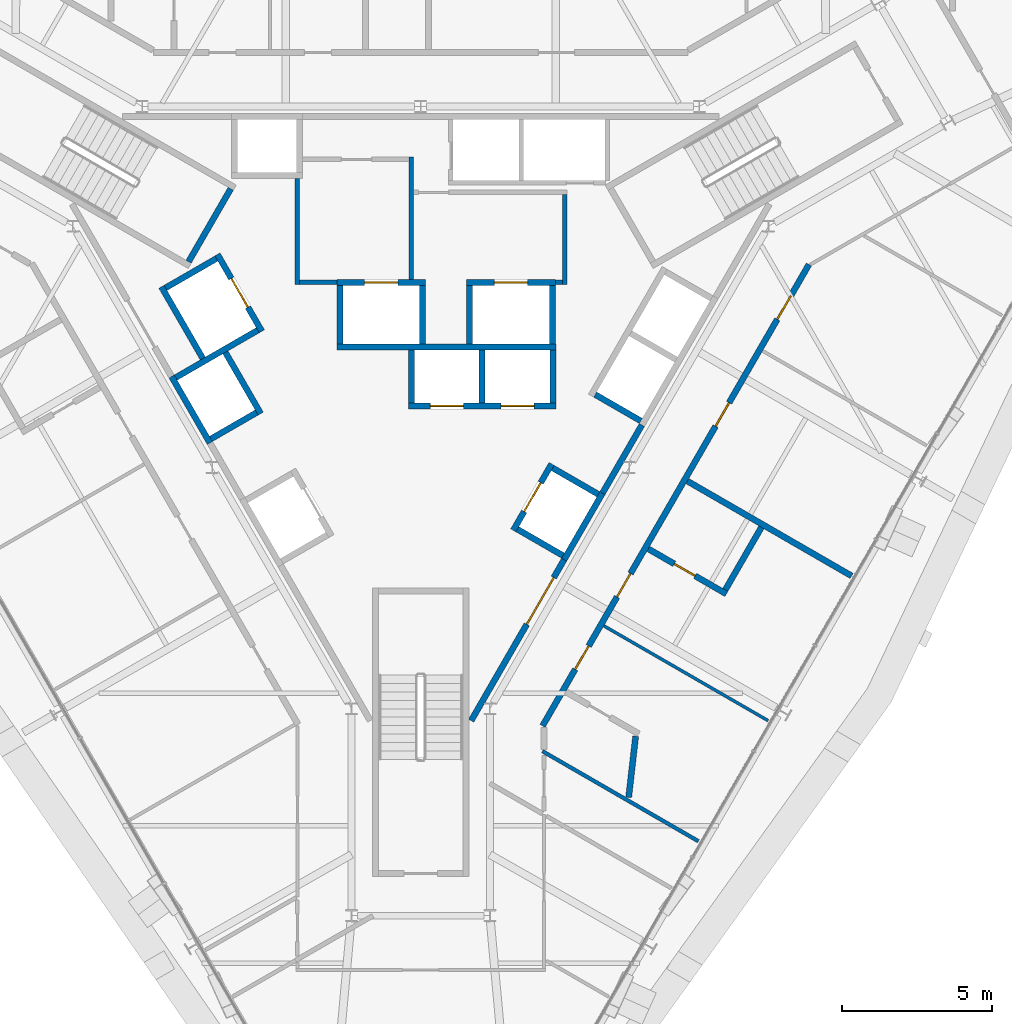
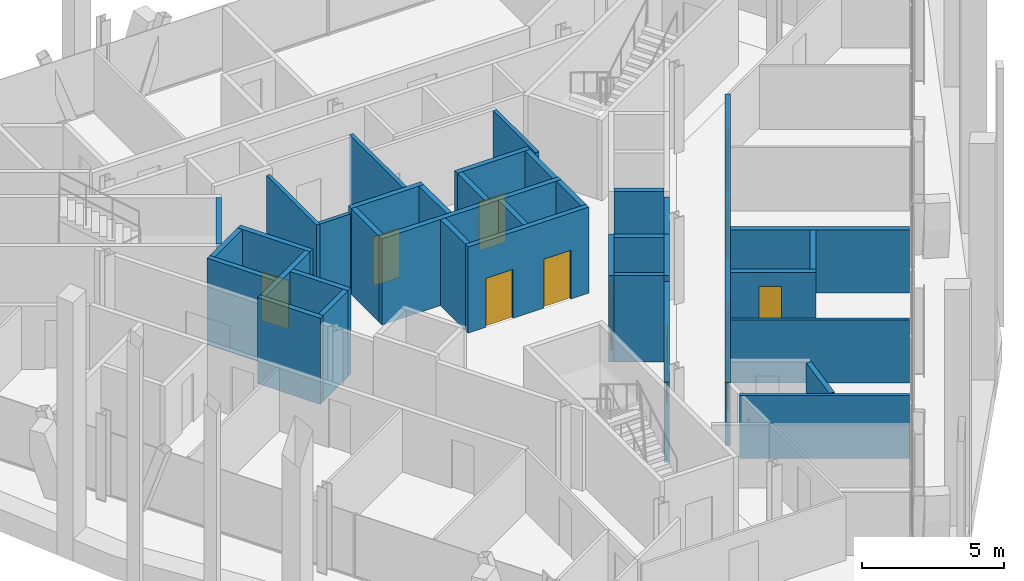
# One storey, part 12 of 16: 38 walls, 12 doors, 12 openings.
"""IFC4 building model written with IfcOpenShell, lengths in metres."""

import ifcopenshell
import ifcopenshell.guid

model = None  # the IFC model being written
_history = None  # IfcOwnerHistory: only IFC2X3 demands one
_inside = {}  # id of a spatial element -> (the spatial element, [elements in it])
_under = {}  # id of a project, library or spatial element -> (it, [spatial elements below it])
_declared = {}  # id of a project -> (the project, [libraries it declares])
_typed = {}  # id of a type object -> (the type object, [elements of that type])
_made_of = {}  # id of a material, layer set ... -> (it, [elements and type objects made of it])


def new_model(schema):
    """Start an empty IFC model of exactly this schema.

    Asked for "IFC4X3", IfcOpenShell would pick the latest addendum, in which some entities
    have other attributes; the version numbers below select the first issue.
    IFC2X3 requires an IfcOwnerHistory on every rooted entity: one is made here for all.
    """
    global model, _history
    if schema == "IFC4X3":
        model = ifcopenshell.file(schema_version=(4, 3, 0, 0))
    else:
        model = ifcopenshell.file(schema=schema)
    _inside.clear()
    _under.clear()
    _declared.clear()
    _typed.clear()
    _made_of.clear()
    _history = None
    if model.schema == "IFC2X3":
        org = make("IfcOrganization", Name="unknown")
        user = make(
            "IfcPersonAndOrganization",
            ThePerson=make("IfcPerson", FamilyName="unknown"),
            TheOrganization=org,
        )
        app = make(
            "IfcApplication",
            ApplicationDeveloper=org,
            Version="unknown",
            ApplicationFullName="unknown",
            ApplicationIdentifier="unknown",
        )
        _history = make(
            "IfcOwnerHistory",
            OwningUser=user,
            OwningApplication=app,
            ChangeAction="ADDED",
            CreationDate=0,
        )
    return model


def make(cls, **values):
    """One entity of the class cls with the attributes given. An attribute that is None is left unset."""
    return model.create_entity(
        cls, **{name: value for name, value in values.items() if value is not None}
    )


def rooted(cls, **values):
    """An entity with a GlobalId (a new one), such as an element, a storey or a relation."""
    return make(cls, GlobalId=ifcopenshell.guid.new(), OwnerHistory=_history, **values)


def si_unit(unit_type, name, prefix=None):
    """IfcSIUnit, for example si_unit("LENGTHUNIT", "METRE", prefix="MILLI")."""
    return make("IfcSIUnit", UnitType=unit_type, Prefix=prefix, Name=name)


def assignment(units):
    """IfcUnitAssignment: the units of a project."""
    return None if units is None else make("IfcUnitAssignment", Units=units)


def point(xyz):
    """IfcCartesianPoint."""
    return None if xyz is None else make("IfcCartesianPoint", Coordinates=xyz)


def direction(xyz):
    """IfcDirection."""
    return None if xyz is None else make("IfcDirection", DirectionRatios=xyz)


def frame(location, z_axis=None, x_axis=None):
    """IfcAxis2Placement3D, a coordinate frame: its origin and axes. An axis left out is left unset."""
    return make(
        "IfcAxis2Placement3D",
        Location=point(location),
        Axis=direction(z_axis),
        RefDirection=direction(x_axis),
    )


def frame_2d(location, x_axis=None):
    """IfcAxis2Placement2D, a coordinate frame in the plane: its origin and x axis."""
    return make(
        "IfcAxis2Placement2D", Location=point(location), RefDirection=direction(x_axis)
    )


def origin():
    """The frame at (0, 0, 0) with its axes left unset."""
    return frame((0.0, 0.0, 0.0))


def place(relative_to, where):
    """IfcLocalPlacement: puts the frame where relative to a parent placement (None: the world)."""
    return make(
        "IfcLocalPlacement", PlacementRelTo=relative_to, RelativePlacement=where
    )


def context(
    kind, dimensions, precision=None, world=None, true_north=None, identifier=None
):
    """IfcGeometricRepresentationContext, for example the 3D "Model" context."""
    return make(
        "IfcGeometricRepresentationContext",
        ContextIdentifier=identifier,
        ContextType=kind,
        CoordinateSpaceDimension=dimensions,
        Precision=precision,
        WorldCoordinateSystem=world,
        TrueNorth=true_north,
    )


def subcontext(parent, identifier, kind, view, scale=None):
    """IfcGeometricRepresentationSubContext, for example "Body" below "Model"."""
    return make(
        "IfcGeometricRepresentationSubContext",
        ContextIdentifier=identifier,
        ContextType=kind,
        ParentContext=parent,
        TargetScale=scale,
        TargetView=view,
    )


def project(units=None, contexts=None):
    """IfcProject with its units and contexts."""
    return rooted(
        "IfcProject",
        Name="project",
        RepresentationContexts=contexts,
        UnitsInContext=assignment(units),
    )


def spatial(cls, under=None, at=None, **own):
    """A site, building, storey or space (cls), placed at a placement, below another one or the project."""
    s = rooted(cls, ObjectPlacement=at, **own)
    if under is not None:
        _under.setdefault(under.id(), (under, []))[1].append(s)
    return s


def profile(cls, at=None, kind="AREA", **sizes):
    """A parametric profile (cls). Its sizes go by their IFC names, for example OverallWidth=200.0."""
    return make(cls, ProfileType=kind, Position=at, **sizes)


def rectangle(**sizes):
    """IfcRectangleProfileDef."""
    return profile("IfcRectangleProfileDef", **sizes)


def extrude(swept, where, along, depth):
    """IfcExtrudedAreaSolid: the profile swept, set in the frame where, extruded along a direction by depth."""
    return make(
        "IfcExtrudedAreaSolid",
        SweptArea=swept,
        Position=where,
        ExtrudedDirection=direction(along),
        Depth=depth,
    )


def shape(context_of_items, identifier, shape_type, items):
    """IfcShapeRepresentation: the items that make up one representation, for example the "Body"."""
    return make(
        "IfcShapeRepresentation",
        ContextOfItems=context_of_items,
        RepresentationIdentifier=identifier,
        RepresentationType=shape_type,
        Items=items,
    )


def material(Name=None, Category=None):
    """IfcMaterial."""
    return make("IfcMaterial", Name=Name, Category=Category)


def layer(
    of_material, thickness, ventilated=None, Name=None, Category=None, Priority=None
):
    """IfcMaterialLayer: one layer of a wall or slab, of a material (None: an air gap)."""
    return make(
        "IfcMaterialLayer",
        Material=of_material,
        LayerThickness=thickness,
        IsVentilated=ventilated,
        Name=Name,
        Category=Category,
        Priority=Priority,
    )


def layer_set(layers, Name=None):
    """IfcMaterialLayerSet."""
    return make("IfcMaterialLayerSet", MaterialLayers=layers, LayerSetName=Name)


def made_of(thing, what):
    """Note that an element or type object is made of a material, layer set ...; save() writes the relation."""
    if what is not None:
        _made_of.setdefault(what.id(), (what, []))[1].append(thing)
    return thing


def type_object(cls, material=None, **own):
    """A type object (cls), such as IfcWallType, which elements share."""
    return made_of(rooted(cls, **own), material)


def element(
    cls,
    number,
    at=None,
    inside=None,
    cuts=None,
    type_object=None,
    material=None,
    context=None,
    identifier="Body",
    shape_type=None,
    held_by="IfcProductDefinitionShape",
    body=None,
    shapes=None,
    **own,
):
    """One element of the class cls, such as IfcWall. Its Tag is "e" and its number.

    at: its placement. inside: the storey or other place that contains it. cuts: it is an
    opening in that element (IfcRelVoidsElement). A single representation is given by context,
    identifier, shape_type and body (its items); several are given by shapes. held_by: the class
    of the entity that holds the representations. save() writes the other relations.
    """
    e = rooted(cls, Tag="e%d" % number, ObjectPlacement=at, **own)
    if body is not None:
        shapes = [shape(context, identifier, shape_type, body)]
    if shapes is not None:
        e.Representation = make(held_by, Representations=shapes)
    if inside is not None:
        _inside.setdefault(inside.id(), (inside, []))[1].append(e)
    if cuts is not None:
        rooted(
            "IfcRelVoidsElement", RelatingBuildingElement=cuts, RelatedOpeningElement=e
        )
    if type_object is not None:
        _typed.setdefault(type_object.id(), (type_object, []))[1].append(e)
    return made_of(e, material)


def fill(opening, filler):
    """IfcRelFillsElement: the door or window that sits in an opening."""
    return rooted(
        "IfcRelFillsElement",
        RelatingOpeningElement=opening,
        RelatedBuildingElement=filler,
    )


def aggregate(whole, parts):
    """IfcRelAggregates: a whole, such as a stair, and the parts it consists of."""
    return rooted("IfcRelAggregates", RelatingObject=whole, RelatedObjects=parts)


def save(model, path):
    """Write the relations noted so far, then the file.

    IfcRelAggregates (storeys below a building ...), IfcRelContainedInSpatialStructure (elements
    in a storey), IfcRelDefinesByType, IfcRelAssociatesMaterial and IfcRelDeclares: one each for
    every whole, place, type object, material and project.
    """
    for whole, parts in _under.values():
        aggregate(whole, parts)
    for where, things in _inside.values():
        rooted(
            "IfcRelContainedInSpatialStructure",
            RelatedElements=things,
            RelatingStructure=where,
        )
    for kind, things in _typed.values():
        rooted("IfcRelDefinesByType", RelatedObjects=things, RelatingType=kind)
    for what, things in _made_of.values():
        rooted("IfcRelAssociatesMaterial", RelatedObjects=things, RelatingMaterial=what)
    for by, libraries in _declared.values():
        rooted("IfcRelDeclares", RelatingContext=by, RelatedDefinitions=libraries)
    model.write(path)


model = new_model("IFC4")

# Units and contexts
model_context = context("Model", 3, precision=1e-05, world=origin(), true_north=direction((0.0, 1.0)))
body_context = subcontext(model_context, "Body", "Model", "MODEL_VIEW")
ifc_project = project(units=[si_unit("LENGTHUNIT", "METRE"), si_unit("AREAUNIT", "SQUARE_METRE"), si_unit("VOLUMEUNIT", "CUBIC_METRE"), si_unit("PLANEANGLEUNIT", "RADIAN"), si_unit("MASSUNIT", "GRAM", prefix="KILO")], contexts=[model_context])

# Site, building, storey
site_placement = place(None, origin())
site = spatial("IfcSite", under=ifc_project, at=site_placement, CompositionType="ELEMENT")
building_placement = place(site_placement, origin())
building = spatial("IfcBuilding", under=site, at=building_placement, Name="Verrane Prism Tower", CompositionType="ELEMENT")
storey_placement = place(building_placement, frame((0.0, 0.0, 236.0)))
storey = spatial("IfcBuildingStorey", under=building, at=storey_placement, Name="L59", CompositionType="ELEMENT", Elevation=236.0)

# Wall, opening, door
ifc_material_1 = material(Name="Gypsum board partition", Category="other")
ifc_layer_1 = layer(ifc_material_1, 0.199951171875)
ifc_layer_set_1 = layer_set([ifc_layer_1], Name="CW-200 core boundary wall 2 h")
wall_type_1 = type_object("IfcWallType", Name="CW-200 core boundary wall 2 h", PredefinedType="PARTITIONING", material=ifc_layer_set_1)
wall_1_placement = place(storey_placement, frame((1.677490234375, -12.414794921875, 0.0), z_axis=(0.0, 0.0, 1.0), x_axis=(0.500054337157, 0.865994029939, 0.0)))
wall_1 = element("IfcWall", 1, at=wall_1_placement, inside=storey, type_object=wall_type_1, Name="Core boundary wall CW3-006", PredefinedType="PARTITIONING", context=body_context, shape_type="SweptSolid", body=[
    extrude(rectangle(XDim=6.176513671875, YDim=0.199951171875, at=frame_2d((3.08837890625, 0.0))), origin(), (0.0, 0.0, 1.0), 3.449951171875),
])
opening_1_placement = place(wall_1_placement, frame((3.695068359375, 0.0, 0.0)))
opening_1 = element("IfcOpeningElement", 2, at=opening_1_placement, cuts=wall_1, Name="Opening D59515", PredefinedType="OPENING", context=body_context, shape_type="SweptSolid", body=[
    extrude(rectangle(XDim=1.800048828125, YDim=2.10009765625, at=frame_2d((0.89990234375, 1.050048828125))), frame((0.0, 0.10986328125, 0.0), z_axis=(0.0, -1.0, 0.0), x_axis=(1.0, 0.0, 0.0)), (0.0, 0.0, 1.0), 0.219970703125),
])
ifc_material_2 = material(Name="Timber veneered door leaf", Category="wood")
door_type_1 = type_object("IfcDoorType", Name="DR-1800x2100 FD60 double leaf lift lobby", OperationType="NOTDEFINED", PredefinedType="DOOR", material=ifc_material_2)
door_1_placement = place(opening_1_placement, origin())
door_1 = element("IfcDoor", 3, at=door_1_placement, inside=storey, type_object=door_type_1, Name="Lift lobby door D59515", OperationType="DOUBLE_DOOR_SINGLE_SWING", OverallHeight=2.10009765625, OverallWidth=1.800048828125, PredefinedType="DOOR", context=body_context, shape_type="SweptSolid", body=[
    extrude(rectangle(XDim=1.800048828125, YDim=2.10009765625, at=frame_2d((0.89990234375, 1.050048828125))), frame((0.0, 0.02490234375, 0.0), z_axis=(0.0, -1.0, 0.0), x_axis=(1.0, 0.0, 0.0)), (0.0, 0.0, 1.0), 0.050048828125),
])
fill(opening_1, door_1)

# Walls
wall_2_placement = place(storey_placement, frame((6.0419921875, -4.85498046875, 0.0), z_axis=(0.0, 0.0, 1.0), x_axis=(0.500252727967, 0.865879442048, 0.0)))
element("IfcWall", 4, at=wall_2_placement, inside=storey, type_object=wall_type_1, Name="Core boundary wall CW3-007", PredefinedType="PARTITIONING", context=body_context, shape_type="SweptSolid", body=[
    extrude(rectangle(XDim=2.616943359375, YDim=0.199951171875, at=frame_2d((1.30859375, 0.0))), origin(), (0.0, 0.0, 1.0), 3.449951171875),
])
ifc_material_3 = material(Name="Concrete C40/50", Category="concrete")
ifc_layer_2 = layer(ifc_material_3, 0.199951171875)
ifc_layer_set_2 = layer_set([ifc_layer_2], Name="CW-200 stair core wall concrete C40/50 3 h")
wall_type_2 = type_object("IfcWallType", Name="CW-200 stair core wall concrete C40/50 3 h", PredefinedType="PARTITIONING", material=ifc_layer_set_2)
wall_3_placement = place(storey_placement, frame((-6.314697265625, 5.262451171875, 0.0), z_axis=(0.0, 0.0, 1.0), x_axis=(-0.500049511043, -0.865996816683, 0.0)))
element("IfcWall", 5, at=wall_3_placement, inside=storey, type_object=wall_type_2, Name="Stair 2 enclosure wall", PredefinedType="PARTITIONING", context=body_context, shape_type="SweptSolid", body=[
    extrude(rectangle(XDim=2.800048828125, YDim=0.199951171875, at=frame_2d((1.39990234375, 0.0))), origin(), (0.0, 0.0, 1.0), 3.449951171875),
])

# Wall, openings, doors
ifc_material_4 = material(Name="Gypsum board shaft wall assembly", Category="other")
ifc_layer_3 = layer(ifc_material_4, 0.199951171875)
ifc_layer_set_3 = layer_set([ifc_layer_3], Name="HW-200 lift shaft wall 2 h")
wall_type_3 = type_object("IfcWallType", Name="HW-200 lift shaft wall 2 h", PredefinedType="PARTITIONING", material=ifc_layer_set_3)
wall_4_placement = place(storey_placement, frame((-0.405029296875, -1.949951171875, 0.0), z_axis=(0.0, 0.0, 1.0), x_axis=(1.0, 0.0, 0.0)))
wall_4 = element("IfcWall", 6, at=wall_4_placement, inside=storey, type_object=wall_type_3, Name="Lift shaft wall", PredefinedType="PARTITIONING", context=body_context, shape_type="SweptSolid", body=[
    extrude(rectangle(XDim=4.900146484375, YDim=0.199951171875, at=frame_2d((2.4501953125, 0.0))), origin(), (0.0, 0.0, 1.0), 3.699951171875),
])
opening_2_placement = place(wall_4_placement, frame((0.72509765625, 0.0, 0.0)))
opening_2 = element("IfcOpeningElement", 7, at=opening_2_placement, cuts=wall_4, Name="Opening D59503", PredefinedType="OPENING", context=body_context, shape_type="SweptSolid", body=[
    extrude(rectangle(XDim=1.10009765625, YDim=2.10009765625, at=frame_2d((0.550048828125, 1.050048828125))), frame((0.0, 0.10986328125, 0.0), z_axis=(0.0, -1.0, 0.0), x_axis=(1.0, 0.0, 0.0)), (0.0, 0.0, 1.0), 0.219970703125),
])
opening_3_placement = place(wall_4_placement, frame((3.074951171875, 0.0, 0.0)))
opening_3 = element("IfcOpeningElement", 8, at=opening_3_placement, cuts=wall_4, Name="Opening D59504", PredefinedType="OPENING", context=body_context, shape_type="SweptSolid", body=[
    extrude(rectangle(XDim=1.10009765625, YDim=2.10009765625, at=frame_2d((0.550048828125, 1.050048828125))), frame((0.0, 0.10986328125, 0.0), z_axis=(0.0, -1.0, 0.0), x_axis=(1.0, 0.0, 0.0)), (0.0, 0.0, 1.0), 0.219970703125),
])
ifc_material_5 = material(Name="Stainless steel sliding landing door", Category="steel")
door_type_2 = type_object("IfcDoorType", Name="LD-1100x2100 lift landing door FD90 sliding", OperationType="NOTDEFINED", PredefinedType="DOOR", material=ifc_material_5)
door_2_placement = place(opening_2_placement, origin())
door_2 = element("IfcDoor", 9, at=door_2_placement, inside=storey, type_object=door_type_2, Name="Bank B lift 1 landing door", OperationType="SLIDING_TO_LEFT", OverallHeight=2.10009765625, OverallWidth=1.10009765625, PredefinedType="DOOR", context=body_context, shape_type="SweptSolid", body=[
    extrude(rectangle(XDim=1.10009765625, YDim=2.10009765625, at=frame_2d((0.550048828125, 1.050048828125))), frame((0.0, 0.02490234375, 0.0), z_axis=(0.0, -1.0, 0.0), x_axis=(1.0, 0.0, 0.0)), (0.0, 0.0, 1.0), 0.050048828125),
])
fill(opening_2, door_2)
door_3_placement = place(opening_3_placement, origin())
door_3 = element("IfcDoor", 10, at=door_3_placement, inside=storey, type_object=door_type_2, Name="Bank B lift 2 landing door", OperationType="SLIDING_TO_RIGHT", OverallHeight=2.10009765625, OverallWidth=1.10009765625, PredefinedType="DOOR", context=body_context, shape_type="SweptSolid", body=[
    extrude(rectangle(XDim=1.10009765625, YDim=2.10009765625, at=frame_2d((0.550048828125, 1.050048828125))), frame((0.0, 0.02490234375, 0.0), z_axis=(0.0, -1.0, 0.0), x_axis=(1.0, 0.0, 0.0)), (0.0, 0.0, 1.0), 0.050048828125),
])
fill(opening_3, door_3)

# Wall
wall_5_placement = place(storey_placement, frame((-2.784912109375, 0.0, 0.0), z_axis=(0.0, 0.0, 1.0), x_axis=(1.0, 0.0, 0.0)))
element("IfcWall", 11, at=wall_5_placement, inside=storey, type_object=wall_type_3, Name="Lift shaft wall", PredefinedType="PARTITIONING", context=body_context, shape_type="SweptSolid", body=[
    extrude(rectangle(XDim=7.280029296875, YDim=0.199951171875, at=frame_2d((3.64013671875, 0.0))), origin(), (0.0, 0.0, 1.0), 3.699951171875),
])

# Wall, opening, door
wall_6_placement = place(storey_placement, frame((-2.784912109375, 2.14990234375, 0.0), z_axis=(0.0, 0.0, 1.0), x_axis=(1.0, 0.0, 0.0)))
wall_6 = element("IfcWall", 12, at=wall_6_placement, inside=storey, type_object=wall_type_3, Name="Lift shaft wall", PredefinedType="PARTITIONING", context=body_context, shape_type="SweptSolid", body=[
    extrude(rectangle(XDim=2.949951171875, YDim=0.199951171875, at=frame_2d((1.47509765625, 0.0))), origin(), (0.0, 0.0, 1.0), 3.699951171875),
])
opening_4_placement = place(wall_6_placement, frame((0.925048828125, 0.0, 0.0)))
opening_4 = element("IfcOpeningElement", 13, at=opening_4_placement, cuts=wall_6, Name="Opening D59507", PredefinedType="OPENING", context=body_context, shape_type="SweptSolid", body=[
    extrude(rectangle(XDim=1.10009765625, YDim=2.10009765625, at=frame_2d((0.550048828125, 1.050048828125))), frame((0.0, 0.10986328125, 0.0), z_axis=(0.0, -1.0, 0.0), x_axis=(1.0, 0.0, 0.0)), (0.0, 0.0, 1.0), 0.219970703125),
])
door_4_placement = place(opening_4_placement, origin())
door_4 = element("IfcDoor", 14, at=door_4_placement, inside=storey, type_object=door_type_2, Name="Fire service lift 1 landing door", OperationType="SLIDING_TO_LEFT", OverallHeight=2.10009765625, OverallWidth=1.10009765625, PredefinedType="DOOR", context=body_context, shape_type="SweptSolid", body=[
    extrude(rectangle(XDim=1.10009765625, YDim=2.10009765625, at=frame_2d((0.550048828125, 1.050048828125))), frame((0.0, 0.02490234375, 0.0), z_axis=(0.0, -1.0, 0.0), x_axis=(1.0, 0.0, 0.0)), (0.0, 0.0, 1.0), 0.050048828125),
])
fill(opening_4, door_4)

wall_7_placement = place(storey_placement, frame((1.52490234375, 2.14990234375, 0.0), z_axis=(0.0, 0.0, 1.0), x_axis=(1.0, 0.0, 0.0)))
wall_7 = element("IfcWall", 15, at=wall_7_placement, inside=storey, type_object=wall_type_3, Name="Lift shaft wall", PredefinedType="PARTITIONING", context=body_context, shape_type="SweptSolid", body=[
    extrude(rectangle(XDim=2.9501953125, YDim=0.199951171875, at=frame_2d((1.47509765625, 0.0))), origin(), (0.0, 0.0, 1.0), 3.699951171875),
])
opening_5_placement = place(wall_7_placement, frame((0.925048828125, 0.0, 0.0)))
opening_5 = element("IfcOpeningElement", 16, at=opening_5_placement, cuts=wall_7, Name="Opening D59508", PredefinedType="OPENING", context=body_context, shape_type="SweptSolid", body=[
    extrude(rectangle(XDim=1.10009765625, YDim=2.10009765625, at=frame_2d((0.550048828125, 1.050048828125))), frame((0.0, 0.10986328125, 0.0), z_axis=(0.0, -1.0, 0.0), x_axis=(1.0, 0.0, 0.0)), (0.0, 0.0, 1.0), 0.219970703125),
])
door_5_placement = place(opening_5_placement, origin())
door_5 = element("IfcDoor", 17, at=door_5_placement, inside=storey, type_object=door_type_2, Name="Fire service lift 2 landing door", OperationType="SLIDING_TO_RIGHT", OverallHeight=2.10009765625, OverallWidth=1.10009765625, PredefinedType="DOOR", context=body_context, shape_type="SweptSolid", body=[
    extrude(rectangle(XDim=1.10009765625, YDim=2.10009765625, at=frame_2d((0.550048828125, 1.050048828125))), frame((0.0, 0.02490234375, 0.0), z_axis=(0.0, -1.0, 0.0), x_axis=(1.0, 0.0, 0.0)), (0.0, 0.0, 1.0), 0.050048828125),
])
fill(opening_5, door_5)

# Walls
wall_8_placement = place(storey_placement, frame((-6.9697265625, -3.048095703125, 0.0), z_axis=(0.0, 0.0, 1.0), x_axis=(0.866036909293, 0.499980071345, 0.0)))
element("IfcWall", 18, at=wall_8_placement, inside=storey, type_object=wall_type_3, Name="Lift shaft wall", PredefinedType="PARTITIONING", context=body_context, shape_type="SweptSolid", body=[
    extrude(rectangle(XDim=1.75, YDim=0.199951171875, at=frame_2d((0.875, 0.0))), origin(), (0.0, 0.0, 1.0), 3.699951171875),
])
wall_9_placement = place(storey_placement, frame((-8.14453125, -1.012939453125, 0.0), z_axis=(0.0, 0.0, 1.0), x_axis=(0.866016494683, 0.500015430699, 0.0)))
element("IfcWall", 19, at=wall_9_placement, inside=storey, type_object=wall_type_3, Name="Lift shaft wall", PredefinedType="PARTITIONING", context=body_context, shape_type="SweptSolid", body=[
    extrude(rectangle(XDim=3.14990234375, YDim=0.199951171875, at=frame_2d((1.574951171875, 0.0))), origin(), (0.0, 0.0, 1.0), 3.699951171875),
])
wall_10_placement = place(storey_placement, frame((-8.48046875, 1.968505859375, 0.0), z_axis=(0.0, 0.0, 1.0), x_axis=(0.866000020948, 0.500043961785, 0.0)))
element("IfcWall", 20, at=wall_10_placement, inside=storey, type_object=wall_type_3, Name="Lift shaft wall", PredefinedType="PARTITIONING", context=body_context, shape_type="SweptSolid", body=[
    extrude(rectangle(XDim=1.949951171875, YDim=0.199951171875, at=frame_2d((0.97509765625, 0.0))), origin(), (0.0, 0.0, 1.0), 3.699951171875),
])
wall_11_placement = place(storey_placement, frame((4.766357421875, -7.064697265625, 0.0), z_axis=(0.0, 0.0, 1.0), x_axis=(0.499948979701, 0.866054858364, 0.0)))
element("IfcWall", 21, at=wall_11_placement, inside=storey, type_object=wall_type_3, Name="Lift shaft wall", PredefinedType="PARTITIONING", context=body_context, shape_type="SweptSolid", body=[
    extrude(rectangle(XDim=2.550048828125, YDim=0.199951171875, at=frame_2d((1.27490234375, 0.0))), origin(), (0.0, 0.0, 1.0), 3.699951171875),
])

# Wall, opening, door
wall_12_placement = place(storey_placement, frame((3.077392578125, -6.089599609375, 0.0), z_axis=(0.0, 0.0, 1.0), x_axis=(0.500062241894, 0.865989465428, 0.0)))
wall_12 = element("IfcWall", 22, at=wall_12_placement, inside=storey, type_object=wall_type_3, Name="Lift shaft wall", PredefinedType="PARTITIONING", context=body_context, shape_type="SweptSolid", body=[
    extrude(rectangle(XDim=2.550048828125, YDim=0.199951171875, at=frame_2d((1.27490234375, 0.0))), origin(), (0.0, 0.0, 1.0), 3.699951171875),
])
opening_6_placement = place(wall_12_placement, frame((0.72509765625, 0.0, 0.0)))
opening_6 = element("IfcOpeningElement", 23, at=opening_6_placement, cuts=wall_12, Name="Opening D59505", PredefinedType="OPENING", context=body_context, shape_type="SweptSolid", body=[
    extrude(rectangle(XDim=1.10009765625, YDim=2.10009765625, at=frame_2d((0.550048828125, 1.050048828125))), frame((0.0, 0.10986328125, 0.0), z_axis=(0.0, -1.0, 0.0), x_axis=(1.0, 0.0, 0.0)), (0.0, 0.0, 1.0), 0.219970703125),
])
door_6_placement = place(opening_6_placement, origin())
door_6 = element("IfcDoor", 24, at=door_6_placement, inside=storey, type_object=door_type_2, Name="Bank B lift 3 landing door", OperationType="SLIDING_TO_LEFT", OverallHeight=2.10009765625, OverallWidth=1.10009765625, PredefinedType="DOOR", context=body_context, shape_type="SweptSolid", body=[
    extrude(rectangle(XDim=1.10009765625, YDim=2.10009765625, at=frame_2d((0.550048828125, 1.050048828125))), frame((0.0, 0.02490234375, 0.0), z_axis=(0.0, -1.0, 0.0), x_axis=(1.0, 0.0, 0.0)), (0.0, 0.0, 1.0), 0.050048828125),
])
fill(opening_6, door_6)

# Walls
wall_13_placement = place(storey_placement, frame((4.39501953125, -1.85009765625, 0.0), z_axis=(0.0, 0.0, 1.0), x_axis=(0.0, 1.0, 0.0)))
element("IfcWall", 25, at=wall_13_placement, inside=storey, type_object=wall_type_3, Name="Lift shaft wall", PredefinedType="PARTITIONING", context=body_context, shape_type="SweptSolid", body=[
    extrude(rectangle(XDim=1.75, YDim=0.199951171875, at=frame_2d((0.875, 0.0))), origin(), (0.0, 0.0, 1.0), 3.699951171875),
])
wall_14_placement = place(storey_placement, frame((4.375, 0.10009765625, 0.0), z_axis=(0.0, 0.0, 1.0), x_axis=(0.0, 1.0, 0.0)))
element("IfcWall", 26, at=wall_14_placement, inside=storey, type_object=wall_type_3, Name="Lift shaft wall", PredefinedType="PARTITIONING", context=body_context, shape_type="SweptSolid", body=[
    extrude(rectangle(XDim=1.949951171875, YDim=0.199951171875, at=frame_2d((0.97509765625, 0.0))), origin(), (0.0, 0.0, 1.0), 3.699951171875),
])
wall_15_placement = place(storey_placement, frame((2.044921875, -1.85009765625, 0.0), z_axis=(0.0, 0.0, 1.0), x_axis=(0.0, 1.0, 0.0)))
element("IfcWall", 27, at=wall_15_placement, inside=storey, type_object=wall_type_3, Name="Lift shaft wall", PredefinedType="PARTITIONING", context=body_context, shape_type="SweptSolid", body=[
    extrude(rectangle(XDim=1.75, YDim=0.199951171875, at=frame_2d((0.875, 0.0))), origin(), (0.0, 0.0, 1.0), 3.699951171875),
])
for number, where, z_axis, x_axis, name in (
    (28, (1.625, 0.10009765625, 0.0), (0.0, 0.0, 1.0), (0.0, 1.0, 0.0), "Lift shaft wall"),
    (29, (0.06494140625, 0.10009765625, 0.0), (0.0, 0.0, 1.0), (0.0, 1.0, 0.0), "Lift shaft wall"),
):
    element("IfcWall", number, at=place(storey_placement, frame(where, z_axis=z_axis, x_axis=x_axis)), inside=storey, type_object=wall_type_3, Name=name, PredefinedType="PARTITIONING", context=body_context, shape_type="SweptSolid", body=[
        extrude(rectangle(XDim=1.949951171875, YDim=0.199951171875, at=frame_2d((0.97509765625, 0.0))), origin(), (0.0, 0.0, 1.0), 3.699951171875),
    ])
wall_16_placement = place(storey_placement, frame((-0.304931640625, -1.85009765625, 0.0), z_axis=(0.0, 0.0, 1.0), x_axis=(0.0, 1.0, 0.0)))
element("IfcWall", 30, at=wall_16_placement, inside=storey, type_object=wall_type_3, Name="Lift shaft wall", PredefinedType="PARTITIONING", context=body_context, shape_type="SweptSolid", body=[
    extrude(rectangle(XDim=1.75, YDim=0.199951171875, at=frame_2d((0.875, 0.0))), origin(), (0.0, 0.0, 1.0), 3.699951171875),
])
wall_17_placement = place(storey_placement, frame((-2.68505859375, 0.10009765625, 0.0), z_axis=(0.0, 0.0, 1.0), x_axis=(0.0, 1.0, 0.0)))
element("IfcWall", 31, at=wall_17_placement, inside=storey, type_object=wall_type_3, Name="Lift shaft wall", PredefinedType="PARTITIONING", context=body_context, shape_type="SweptSolid", body=[
    extrude(rectangle(XDim=1.949951171875, YDim=0.199951171875, at=frame_2d((0.97509765625, 0.0))), origin(), (0.0, 0.0, 1.0), 3.699951171875),
])

# Wall, opening, door
wall_18_placement = place(storey_placement, frame((-5.280029296875, 0.525390625, 0.0), z_axis=(0.0, 0.0, 1.0), x_axis=(-0.500037662692, 0.866003658127, 0.0)))
wall_18 = element("IfcWall", 32, at=wall_18_placement, inside=storey, type_object=wall_type_3, Name="Lift shaft wall", PredefinedType="PARTITIONING", context=body_context, shape_type="SweptSolid", body=[
    extrude(rectangle(XDim=2.949951171875, YDim=0.199951171875, at=frame_2d((1.47509765625, 0.0))), origin(), (0.0, 0.0, 1.0), 3.699951171875),
])
opening_7_placement = place(wall_18_placement, frame((0.925048828125, 0.0, 0.0)))
opening_7 = element("IfcOpeningElement", 33, at=opening_7_placement, cuts=wall_18, Name="Opening D59509", PredefinedType="OPENING", context=body_context, shape_type="SweptSolid", body=[
    extrude(rectangle(XDim=1.10009765625, YDim=2.10009765625, at=frame_2d((0.550048828125, 1.050048828125))), frame((0.0, 0.10986328125, 0.0), z_axis=(0.0, -1.0, 0.0), x_axis=(1.0, 0.0, 0.0)), (0.0, 0.0, 1.0), 0.219970703125),
])
door_7_placement = place(opening_7_placement, origin())
door_7 = element("IfcDoor", 34, at=door_7_placement, inside=storey, type_object=door_type_2, Name="Service lift 1 landing door", OperationType="SLIDING_TO_LEFT", OverallHeight=2.10009765625, OverallWidth=1.10009765625, PredefinedType="DOOR", context=body_context, shape_type="SweptSolid", body=[
    extrude(rectangle(XDim=1.10009765625, YDim=2.10009765625, at=frame_2d((0.550048828125, 1.050048828125))), frame((0.0, 0.02490234375, 0.0), z_axis=(0.0, -1.0, 0.0), x_axis=(1.0, 0.0, 0.0)), (0.0, 0.0, 1.0), 0.050048828125),
])
fill(opening_7, door_7)

# Walls
wall_19_placement = place(storey_placement, frame((-5.317626953125, -2.209716796875, 0.0), z_axis=(0.0, 0.0, 1.0), x_axis=(-0.499938297808, 0.866061024631, 0.0)))
element("IfcWall", 35, at=wall_19_placement, inside=storey, type_object=wall_type_3, Name="Lift shaft wall", PredefinedType="PARTITIONING", context=body_context, shape_type="SweptSolid", body=[
    extrude(rectangle(XDim=2.349853515625, YDim=0.199951171875, at=frame_2d((1.1748046875, 0.0))), origin(), (0.0, 0.0, 1.0), 3.699951171875),
])
wall_20_placement = place(storey_placement, frame((-7.241943359375, -0.37646484375, 0.0), z_axis=(0.0, 0.0, 1.0), x_axis=(-0.499996545922, 0.866027397988, 0.0)))
element("IfcWall", 36, at=wall_20_placement, inside=storey, type_object=wall_type_3, Name="Lift shaft wall", PredefinedType="PARTITIONING", context=body_context, shape_type="SweptSolid", body=[
    extrude(rectangle(XDim=2.75, YDim=0.199951171875, at=frame_2d((1.375, 0.0))), origin(), (0.0, 0.0, 1.0), 3.699951171875),
])
wall_21_placement = place(storey_placement, frame((-7.00634765625, -3.184814453125, 0.0), z_axis=(0.0, 0.0, 1.0), x_axis=(-0.499990435942, 0.866030925526, 0.0)))
element("IfcWall", 37, at=wall_21_placement, inside=storey, type_object=wall_type_3, Name="Lift shaft wall", PredefinedType="PARTITIONING", context=body_context, shape_type="SweptSolid", body=[
    extrude(rectangle(XDim=2.5498046875, YDim=0.199951171875, at=frame_2d((1.27490234375, 0.0))), origin(), (0.0, 0.0, 1.0), 3.699951171875),
])
wall_22_placement = place(storey_placement, frame((7.314697265625, -2.45068359375, 0.0), z_axis=(0.0, 0.0, 1.0), x_axis=(-0.866036909293, 0.499980071345, 0.0)))
element("IfcWall", 38, at=wall_22_placement, inside=storey, type_object=wall_type_3, Name="Lift shaft wall", PredefinedType="PARTITIONING", context=body_context, shape_type="SweptSolid", body=[
    extrude(rectangle(XDim=1.75, YDim=0.199951171875, at=frame_2d((0.875, 0.0))), origin(), (0.0, 0.0, 1.0), 3.699951171875),
])
wall_23_placement = place(storey_placement, frame((5.904541015625, -4.892822265625, 0.0), z_axis=(0.0, 0.0, 1.0), x_axis=(-0.866002029911, 0.500040482552, 0.0)))
element("IfcWall", 39, at=wall_23_placement, inside=storey, type_object=wall_type_3, Name="Lift shaft wall", PredefinedType="PARTITIONING", context=body_context, shape_type="SweptSolid", body=[
    extrude(rectangle(XDim=1.749755859375, YDim=0.199951171875, at=frame_2d((0.875, 0.0))), origin(), (0.0, 0.0, 1.0), 3.699951171875),
])
wall_24_placement = place(storey_placement, frame((4.729736328125, -6.927978515625, 0.0), z_axis=(0.0, 0.0, 1.0), x_axis=(-0.866036909293, 0.499980071345, 0.0)))
element("IfcWall", 40, at=wall_24_placement, inside=storey, type_object=wall_type_3, Name="Lift shaft wall", PredefinedType="PARTITIONING", context=body_context, shape_type="SweptSolid", body=[
    extrude(rectangle(XDim=1.75, YDim=0.199951171875, at=frame_2d((0.875, 0.0))), origin(), (0.0, 0.0, 1.0), 3.699951171875),
])
ifc_material_6 = material(Name="Gypsum board partition", Category="other")
ifc_layer_4 = layer(ifc_material_6, 0.14990234375)
ifc_layer_set_4 = layer_set([ifc_layer_4], Name="LF-150 firefighting lobby wall 1 h")
wall_type_4 = type_object("IfcWallType", Name="LF-150 firefighting lobby wall 1 h", PredefinedType="PARTITIONING", material=ifc_layer_set_4)
wall_25_placement = place(storey_placement, frame((-4.10009765625, 2.0849609375, 0.0), z_axis=(0.0, 0.0, 1.0), x_axis=(0.0, 1.0, 0.0)))
element("IfcWall", 41, at=wall_25_placement, inside=storey, type_object=wall_type_4, Name="Firefighting lobby wall LF1-001", PredefinedType="PARTITIONING", context=body_context, shape_type="SweptSolid", body=[
    extrude(rectangle(XDim=3.52294921875, YDim=0.14990234375, at=frame_2d((1.761474609375, 0.0))), origin(), (0.0, 0.0, 1.0), 3.449951171875),
])
wall_26_placement = place(storey_placement, frame((-4.02490234375, 2.159912109375, 0.0), z_axis=(0.0, 0.0, 1.0), x_axis=(1.0, 0.0, 0.0)))
element("IfcWall", 42, at=wall_26_placement, inside=storey, type_object=wall_type_4, Name="Firefighting lobby wall LF1-002", PredefinedType="PARTITIONING", context=body_context, shape_type="SweptSolid", body=[
    extrude(rectangle(XDim=1.23779296875, YDim=0.14990234375, at=frame_2d((0.618896484375, 0.0))), origin(), (0.0, 0.0, 1.0), 3.449951171875),
])
wall_27_placement = place(storey_placement, frame((-0.320068359375, 2.251953125, 0.0), z_axis=(0.0, 0.0, 1.0), x_axis=(0.0, 1.0, 0.0)))
element("IfcWall", 43, at=wall_27_placement, inside=storey, type_object=wall_type_4, Name="Firefighting lobby wall LF1-004", PredefinedType="PARTITIONING", context=body_context, shape_type="SweptSolid", body=[
    extrude(rectangle(XDim=4.06298828125, YDim=0.14990234375, at=frame_2d((2.031494140625, 0.0))), origin(), (0.0, 0.0, 1.0), 3.449951171875),
])
wall_28_placement = place(storey_placement, frame((4.47705078125, 2.159912109375, 0.0), z_axis=(0.0, 0.0, 1.0), x_axis=(1.0, 0.0, 0.0)))
element("IfcWall", 44, at=wall_28_placement, inside=storey, type_object=wall_type_4, Name="Firefighting lobby wall LF1-006", PredefinedType="PARTITIONING", context=body_context, shape_type="SweptSolid", body=[
    extrude(rectangle(XDim=0.238037109375, YDim=0.14990234375, at=frame_2d((0.119140625, 0.0))), origin(), (0.0, 0.0, 1.0), 3.449951171875),
])
wall_29_placement = place(storey_placement, frame((4.7900390625, 2.0849609375, 0.0), z_axis=(0.0, 0.0, 1.0), x_axis=(0.0, 1.0, 0.0)))
element("IfcWall", 45, at=wall_29_placement, inside=storey, type_object=wall_type_4, Name="Firefighting lobby wall LF1-007", PredefinedType="PARTITIONING", context=body_context, shape_type="SweptSolid", body=[
    extrude(rectangle(XDim=2.97998046875, YDim=0.14990234375, at=frame_2d((1.489990234375, 0.0))), origin(), (0.0, 0.0, 1.0), 3.449951171875),
])
ifc_material_7 = material(Name="Gypsum board partition", Category="other")
ifc_layer_5 = layer(ifc_material_7, 0.10009765625)
ifc_layer_set_5 = layer_set([ifc_layer_5], Name="PW-100 room partition")
wall_type_5 = type_object("IfcWallType", Name="PW-100 room partition", PredefinedType="PARTITIONING", material=ifc_layer_set_5)
wall_30_placement = place(storey_placement, frame((6.085693359375, -9.262939453125, 0.0), z_axis=(0.0, 0.0, 1.0), x_axis=(0.866070792983, -0.499921375361, 0.0)))
element("IfcWall", 46, at=wall_30_placement, inside=storey, type_object=wall_type_5, Name="Room partition 042", PredefinedType="PARTITIONING", context=body_context, shape_type="SweptSolid", body=[
    extrude(rectangle(XDim=6.3037109375, YDim=0.10009765625, at=frame_2d((3.15185546875, 0.0))), origin(), (0.0, 0.0, 1.0), 2.712890625),
])
ifc_material_8 = material(Name="Gypsum board partition", Category="other")
ifc_layer_6 = layer(ifc_material_8, 0.125)
ifc_layer_set_6 = layer_set([ifc_layer_6], Name="PW-125 corridor wall 1 h")
wall_type_6 = type_object("IfcWallType", Name="PW-125 corridor wall 1 h", PredefinedType="PARTITIONING", material=ifc_layer_set_6)
wall_31_placement = place(storey_placement, frame((4.0458984375, -13.4296875, 0.0), z_axis=(0.0, 0.0, 1.0), x_axis=(0.866028717572, -0.499994260308, 0.0)))
element("IfcWall", 47, at=wall_31_placement, inside=storey, type_object=wall_type_6, Name="Corridor wall 039", PredefinedType="PARTITIONING", context=body_context, shape_type="SweptSolid", body=[
    extrude(rectangle(XDim=5.98681640625, YDim=0.125, at=frame_2d((2.993408203125, 0.0))), origin(), (0.0, 0.0, 1.0), 2.712890625),
])

# Wall, openings, doors
ifc_material_9 = material(Name="Gypsum board partition", Category="other")
ifc_layer_7 = layer(ifc_material_9, 0.199951171875)
ifc_layer_set_7 = layer_set([ifc_layer_7], Name="PW-200 plumbing wall")
wall_type_7 = type_object("IfcWallType", Name="PW-200 plumbing wall", PredefinedType="PARTITIONING", material=ifc_layer_set_7)
wall_32_placement = place(storey_placement, frame((12.903076171875, 2.745361328125, 0.0), z_axis=(0.0, 0.0, 1.0), x_axis=(-0.499997769292, -0.86602669168, 0.0)))
wall_32 = element("IfcWall", 48, at=wall_32_placement, inside=storey, type_object=wall_type_7, Name="Plumbing wall 040", PredefinedType="PARTITIONING", context=body_context, shape_type="SweptSolid", body=[
    extrude(rectangle(XDim=17.7060546875, YDim=0.199951171875, at=frame_2d((8.85302734375, 0.0))), origin(), (0.0, 0.0, 1.0), 2.712890625),
])
opening_8_placement = place(wall_32_placement, frame((14.636962890625, 0.0, 0.0)))
opening_8 = element("IfcOpeningElement", 49, at=opening_8_placement, cuts=wall_32, Name="Opening D59022", PredefinedType="OPENING", context=body_context, shape_type="SweptSolid", body=[
    extrude(rectangle(XDim=0.89990234375, YDim=2.10009765625, at=frame_2d((0.449951171875, 1.050048828125))), frame((0.0, 0.10986328125, 0.0), z_axis=(0.0, -1.0, 0.0), x_axis=(1.0, 0.0, 0.0)), (0.0, 0.0, 1.0), 0.219970703125),
])
opening_9_placement = place(wall_32_placement, frame((11.858154296875, 0.0, 0.0)))
opening_9 = element("IfcOpeningElement", 50, at=opening_9_placement, cuts=wall_32, Name="Opening D59024", PredefinedType="OPENING", context=body_context, shape_type="SweptSolid", body=[
    extrude(rectangle(XDim=0.89990234375, YDim=2.10009765625, at=frame_2d((0.449951171875, 1.050048828125))), frame((0.0, 0.10986328125, 0.0), z_axis=(0.0, -1.0, 0.0), x_axis=(1.0, 0.0, 0.0)), (0.0, 0.0, 1.0), 0.219970703125),
])
opening_10_placement = place(wall_32_placement, frame((5.302978515625, 0.0, 0.0)))
opening_10 = element("IfcOpeningElement", 51, at=opening_10_placement, cuts=wall_32, Name="Opening D59026", PredefinedType="OPENING", context=body_context, shape_type="SweptSolid", body=[
    extrude(rectangle(XDim=0.89990234375, YDim=2.10009765625, at=frame_2d((0.449951171875, 1.050048828125))), frame((0.0, 0.10986328125, 0.0), z_axis=(0.0, -1.0, 0.0), x_axis=(1.0, 0.0, 0.0)), (0.0, 0.0, 1.0), 0.219970703125),
])
opening_11_placement = place(wall_32_placement, frame((1.2041015625, 0.0, 0.0)))
opening_11 = element("IfcOpeningElement", 52, at=opening_11_placement, cuts=wall_32, Name="Opening D59027", PredefinedType="OPENING", context=body_context, shape_type="SweptSolid", body=[
    extrude(rectangle(XDim=0.89990234375, YDim=2.10009765625, at=frame_2d((0.449951171875, 1.050048828125))), frame((0.0, 0.10986328125, 0.0), z_axis=(0.0, -1.0, 0.0), x_axis=(1.0, 0.0, 0.0)), (0.0, 0.0, 1.0), 0.219970703125),
])
ifc_material_10 = material(Name="Timber veneered door leaf", Category="wood")
door_type_3 = type_object("IfcDoorType", Name="DR-900x2100 single leaf inner", OperationType="NOTDEFINED", PredefinedType="DOOR", material=ifc_material_10)
door_8_placement = place(opening_8_placement, origin())
door_8 = element("IfcDoor", 53, at=door_8_placement, inside=storey, type_object=door_type_3, Name="Bedroom door", OperationType="SINGLE_SWING_LEFT", OverallHeight=2.10009765625, OverallWidth=0.89990234375, PredefinedType="DOOR", context=body_context, shape_type="SweptSolid", body=[
    extrude(rectangle(XDim=0.89990234375, YDim=2.10009765625, at=frame_2d((0.449951171875, 1.050048828125))), frame((0.0, 0.02490234375, 0.0), z_axis=(0.0, -1.0, 0.0), x_axis=(1.0, 0.0, 0.0)), (0.0, 0.0, 1.0), 0.050048828125),
])
fill(opening_8, door_8)
door_9_placement = place(opening_9_placement, origin())
door_9 = element("IfcDoor", 54, at=door_9_placement, inside=storey, type_object=door_type_3, Name="Master Bedroom door", OperationType="SINGLE_SWING_LEFT", OverallHeight=2.10009765625, OverallWidth=0.89990234375, PredefinedType="DOOR", context=body_context, shape_type="SweptSolid", body=[
    extrude(rectangle(XDim=0.89990234375, YDim=2.10009765625, at=frame_2d((0.449951171875, 1.050048828125))), frame((0.0, 0.02490234375, 0.0), z_axis=(0.0, -1.0, 0.0), x_axis=(1.0, 0.0, 0.0)), (0.0, 0.0, 1.0), 0.050048828125),
])
fill(opening_9, door_9)
ifc_material_11 = material(Name="Timber veneered door leaf", Category="wood")
door_type_4 = type_object("IfcDoorType", Name="DR-900x2100 single leaf unit", OperationType="NOTDEFINED", PredefinedType="DOOR", material=ifc_material_11)
door_10_placement = place(opening_10_placement, origin())
door_10 = element("IfcDoor", 55, at=door_10_placement, inside=storey, type_object=door_type_4, Name="Study door", OperationType="SINGLE_SWING_LEFT", OverallHeight=2.10009765625, OverallWidth=0.89990234375, PredefinedType="DOOR", context=body_context, shape_type="SweptSolid", body=[
    extrude(rectangle(XDim=0.89990234375, YDim=2.10009765625, at=frame_2d((0.449951171875, 1.050048828125))), frame((0.0, 0.02490234375, 0.0), z_axis=(0.0, -1.0, 0.0), x_axis=(1.0, 0.0, 0.0)), (0.0, 0.0, 1.0), 0.050048828125),
])
fill(opening_10, door_10)
door_11_placement = place(opening_11_placement, origin())
door_11 = element("IfcDoor", 56, at=door_11_placement, inside=storey, type_object=door_type_4, Name="Study door", OperationType="SINGLE_SWING_RIGHT", OverallHeight=2.10009765625, OverallWidth=0.89990234375, PredefinedType="DOOR", context=body_context, shape_type="SweptSolid", body=[
    extrude(rectangle(XDim=0.89990234375, YDim=2.10009765625, at=frame_2d((0.449951171875, 1.050048828125))), frame((0.0, 0.02490234375, 0.0), z_axis=(0.0, -1.0, 0.0), x_axis=(1.0, 0.0, 0.0)), (0.0, 0.0, 1.0), 0.050048828125),
])
fill(opening_11, door_11)

# Wall
wall_33_placement = place(storey_placement, frame((6.91259765625, -14.966064453125, 0.0), z_axis=(0.0, 0.0, 1.0), x_axis=(0.113650855348, 0.993520751207, 0.0)))
element("IfcWall", 57, at=wall_33_placement, inside=storey, type_object=wall_type_7, Name="Plumbing wall 043", PredefinedType="PARTITIONING", context=body_context, shape_type="SweptSolid", body=[
    extrude(rectangle(XDim=2.047119140625, YDim=0.199951171875, at=frame_2d((1.0234375, 0.0))), origin(), (0.0, 0.0, 1.0), 2.712890625),
])

# Wall, opening, door
wall_34_placement = place(storey_placement, frame((7.56689453125, -6.70654296875, 0.0), z_axis=(0.0, 0.0, 1.0), x_axis=(0.86601725921, -0.500014106551, 0.0)))
wall_34 = element("IfcWall", 58, at=wall_34_placement, inside=storey, type_object=wall_type_7, Name="Plumbing wall 044", PredefinedType="PARTITIONING", context=body_context, shape_type="SweptSolid", body=[
    extrude(rectangle(XDim=2.9951171875, YDim=0.199951171875, at=frame_2d((1.49755859375, 0.0))), origin(), (0.0, 0.0, 1.0), 2.712890625),
])
opening_12_placement = place(wall_34_placement, frame((0.9951171875, 0.0, 0.0)))
opening_12 = element("IfcOpeningElement", 59, at=opening_12_placement, cuts=wall_34, Name="Opening D59025", PredefinedType="OPENING", context=body_context, shape_type="SweptSolid", body=[
    extrude(rectangle(XDim=0.800048828125, YDim=2.10009765625, at=frame_2d((0.39990234375, 1.050048828125))), frame((0.0, 0.10986328125, 0.0), z_axis=(0.0, -1.0, 0.0), x_axis=(1.0, 0.0, 0.0)), (0.0, 0.0, 1.0), 0.219970703125),
])
ifc_material_12 = material(Name="Timber veneered door leaf", Category="wood")
door_type_5 = type_object("IfcDoorType", Name="DR-800x2100 single leaf bath", OperationType="NOTDEFINED", PredefinedType="DOOR", material=ifc_material_12)
door_12_placement = place(opening_12_placement, origin())
door_12 = element("IfcDoor", 60, at=door_12_placement, inside=storey, type_object=door_type_5, Name="Master Bathroom door", OperationType="SINGLE_SWING_LEFT", OverallHeight=2.10009765625, OverallWidth=0.800048828125, PredefinedType="DOOR", context=body_context, shape_type="SweptSolid", body=[
    extrude(rectangle(XDim=0.800048828125, YDim=2.10009765625, at=frame_2d((0.39990234375, 1.050048828125))), frame((0.0, 0.02490234375, 0.0), z_axis=(0.0, -1.0, 0.0), x_axis=(1.0, 0.0, 0.0)), (0.0, 0.0, 1.0), 0.050048828125),
])
fill(opening_12, door_12)

# Walls
wall_35_placement = place(storey_placement, frame((8.866943359375, -4.45458984375, 0.0), z_axis=(0.0, 0.0, 1.0), x_axis=(0.866023587353, -0.500003146138, 0.0)))
element("IfcWall", 61, at=wall_35_placement, inside=storey, type_object=wall_type_7, Name="Plumbing wall 045", PredefinedType="PARTITIONING", context=body_context, shape_type="SweptSolid", body=[
    extrude(rectangle(XDim=6.29931640625, YDim=0.199951171875, at=frame_2d((3.149658203125, 0.0))), origin(), (0.0, 0.0, 1.0), 2.712890625),
])
wall_36_placement = place(storey_placement, frame((10.1240234375, -8.0673828125, 0.0), z_axis=(0.0, 0.0, 1.0), x_axis=(0.499913221443, 0.866075499611, 0.0)))
element("IfcWall", 62, at=wall_36_placement, inside=storey, type_object=wall_type_7, Name="Plumbing wall 047", PredefinedType="PARTITIONING", context=body_context, shape_type="SweptSolid", body=[
    extrude(rectangle(XDim=2.400390625, YDim=0.199951171875, at=frame_2d((1.2001953125, 0.0))), origin(), (0.0, 0.0, 1.0), 2.712890625),
])

save(model, "model.ifc")
